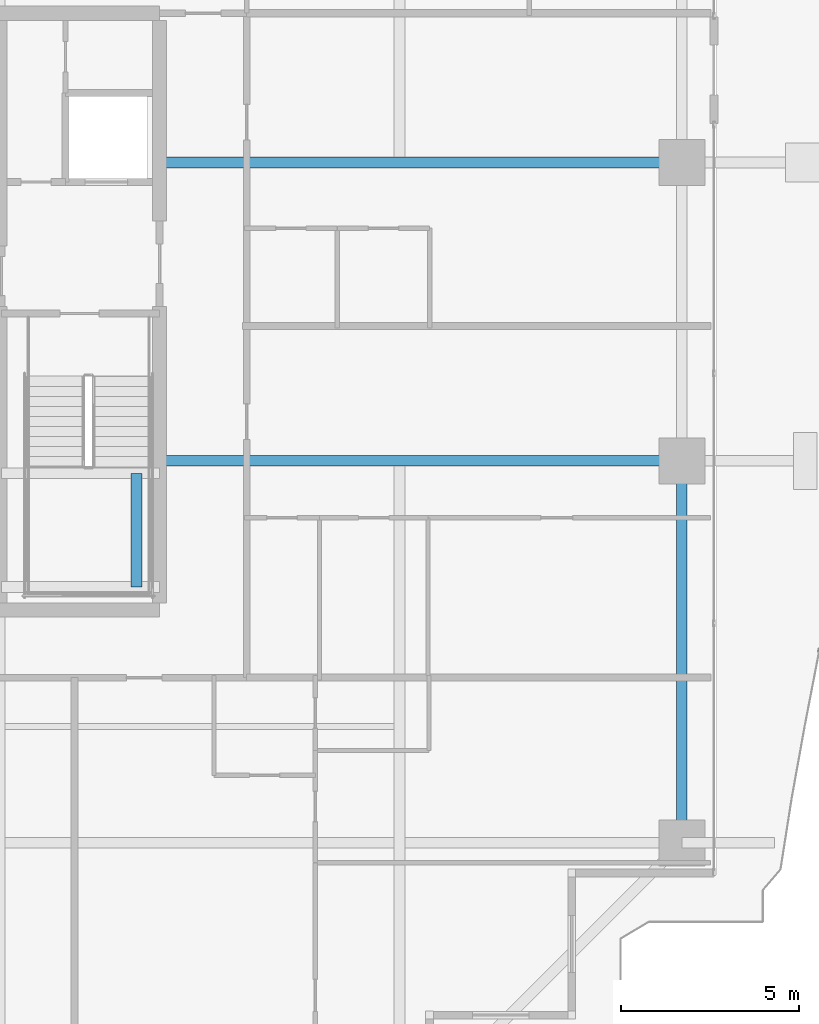
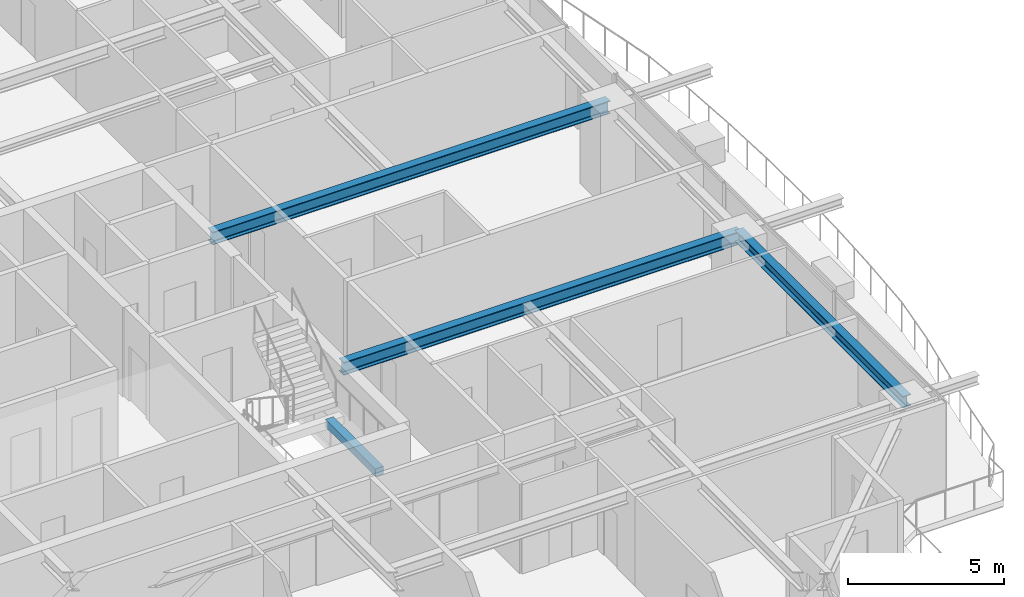
# One storey, part 14 of 36: 4 beams.
"""IFC4 building model written with IfcOpenShell, lengths in metres."""

from ifc_helpers import new_model, si_unit, direction, frame, origin, origin_2d, place, context, subcontext, project, spatial, rectangle, i_section, extrude, source, transform, mapped, material, material_profile, profile_set, type_object, element, save


model = new_model("IFC4")

# Units and contexts
model_context = context("Model", 3, precision=1e-05, world=origin(), true_north=direction((0.0, 1.0)))
body_context = subcontext(model_context, "Body", "Model", "MODEL_VIEW")
ifc_project = project(units=[si_unit("LENGTHUNIT", "METRE"), si_unit("AREAUNIT", "SQUARE_METRE"), si_unit("VOLUMEUNIT", "CUBIC_METRE"), si_unit("PLANEANGLEUNIT", "RADIAN"), si_unit("MASSUNIT", "GRAM", prefix="KILO")], contexts=[model_context])

# Site, building, storey
site_placement = place(None, origin())
site = spatial("IfcSite", under=ifc_project, at=site_placement, CompositionType="ELEMENT")
building_placement = place(site_placement, origin())
building = spatial("IfcBuilding", under=site, at=building_placement, Name="Serunith Strait Residences", CompositionType="ELEMENT")
storey_placement = place(building_placement, frame((0.0, 0.0, 131.39990234375)))
storey = spatial("IfcBuildingStorey", under=building, at=storey_placement, Name="L32", CompositionType="ELEMENT", Elevation=131.39990234375)

# Beams
ifc_material_1 = material(Name="Steel S355J2", Category="steel")
ifc_material_profile_1 = material_profile(ifc_material_1, i_section(OverallWidth=0.300048828125, OverallDepth=0.5, WebThickness=0.014404296875, FlangeThickness=0.028076171875, FilletRadius=0.027099609375, at=origin_2d()), Name="HEB 500")
ifc_profile_set_1 = profile_set([ifc_material_profile_1], Name="Steel S355J2")
beam_type_1 = type_object("IfcBeamType", Name="BM-HEB500", PredefinedType="BEAM", material=ifc_profile_set_1)
shared_shape_1 = source(origin(), body_context, "Body", "SweptSolid", [
    extrude(i_section(OverallWidth=0.300048828125, OverallDepth=0.5, WebThickness=0.014404296875, FlangeThickness=0.028076171875, FilletRadius=0.027099609375, at=origin_2d()), origin(), (0.0, 0.0, 1.0), 14.7001953125),
])
for number, where, z_axis, x_axis, name in (
    (1, (41.39990234375, 21.0, 3.237060546875), (1.0, 0.0, 0.0), (0.0, 1.0, 0.0), "L32 Primary Floor Girder TC-E2"),
    (2, (41.39990234375, 29.39990234375, 3.237060546875), (1.0, 0.0, 0.0), (0.0, 1.0, 0.0), "L32 Primary Floor Girder TC-E3"),
):
    element("IfcBeam", number, at=place(storey_placement, frame(where, z_axis=z_axis, x_axis=x_axis)), inside=storey, type_object=beam_type_1, Name=name, PredefinedType="BEAM", context=body_context, shape_type="MappedRepresentation", body=[
        mapped(shared_shape_1, transform((0.0, 0.0, 0.0), scale=1.0)),
    ])
ifc_material_profile_2 = material_profile(ifc_material_1, i_section(OverallWidth=0.300048828125, OverallDepth=0.449951171875, WebThickness=0.013916015625, FlangeThickness=0.02587890625, FilletRadius=0.027099609375, at=origin_2d()), Name="HEB 450")
ifc_profile_set_2 = profile_set([ifc_material_profile_2], Name="Steel S355J2")
beam_type_2 = type_object("IfcBeamType", Name="BM-HEB450", PredefinedType="BEAM", material=ifc_profile_set_2)
shared_shape_2 = source(origin(), body_context, "Body", "SweptSolid", [
    extrude(i_section(OverallWidth=0.300048828125, OverallDepth=0.449951171875, WebThickness=0.013916015625, FlangeThickness=0.02587890625, FilletRadius=0.027099609375, at=origin_2d()), origin(), (0.0, 0.0, 1.0), 10.75),
])
beam_1_placement = place(storey_placement, frame((56.10009765625, 10.25, 3.26220703125), z_axis=(0.0, 1.0, 0.0), x_axis=(-1.0, 0.0, 0.0)))
element("IfcBeam", 3, at=beam_1_placement, inside=storey, type_object=beam_type_2, Name="L32 Perimeter Ring Beam 05", PredefinedType="BEAM", context=body_context, shape_type="MappedRepresentation", body=[
    mapped(shared_shape_2, transform((0.0, 0.0, 0.0), scale=1.0)),
])
ifc_material_2 = material(Name="Concrete C60/75", Category="concrete")
ifc_material_profile_3 = material_profile(ifc_material_2, rectangle(XDim=0.300048828125, YDim=0.300048828125, at=origin_2d()), Name="RC 300x300")
ifc_profile_set_3 = profile_set([ifc_material_profile_3], Name="Concrete C60/75")
beam_type_3 = type_object("IfcBeamType", Name="BM-LAND-300x300", PredefinedType="BEAM", material=ifc_profile_set_3)
shared_shape_3 = source(origin(), body_context, "Body", "SweptSolid", [
    extrude(rectangle(XDim=0.300048828125, YDim=0.300048828125, at=origin_2d()), origin(), (0.0, 0.0, 1.0), 3.199951171875),
])
beam_2_placement = place(storey_placement, frame((40.75, 17.449951171875, 1.525146484375), z_axis=(0.0, 1.0, 0.0), x_axis=(-1.0, 0.0, 0.0)))
element("IfcBeam", 4, at=beam_2_placement, inside=storey, type_object=beam_type_3, Name="L32 ST-2 Landing Transverse Tie Beam", PredefinedType="BEAM", context=body_context, shape_type="MappedRepresentation", body=[
    mapped(shared_shape_3, transform((0.0, 0.0, 0.0), scale=1.0)),
])

save(model, "model.ifc")
